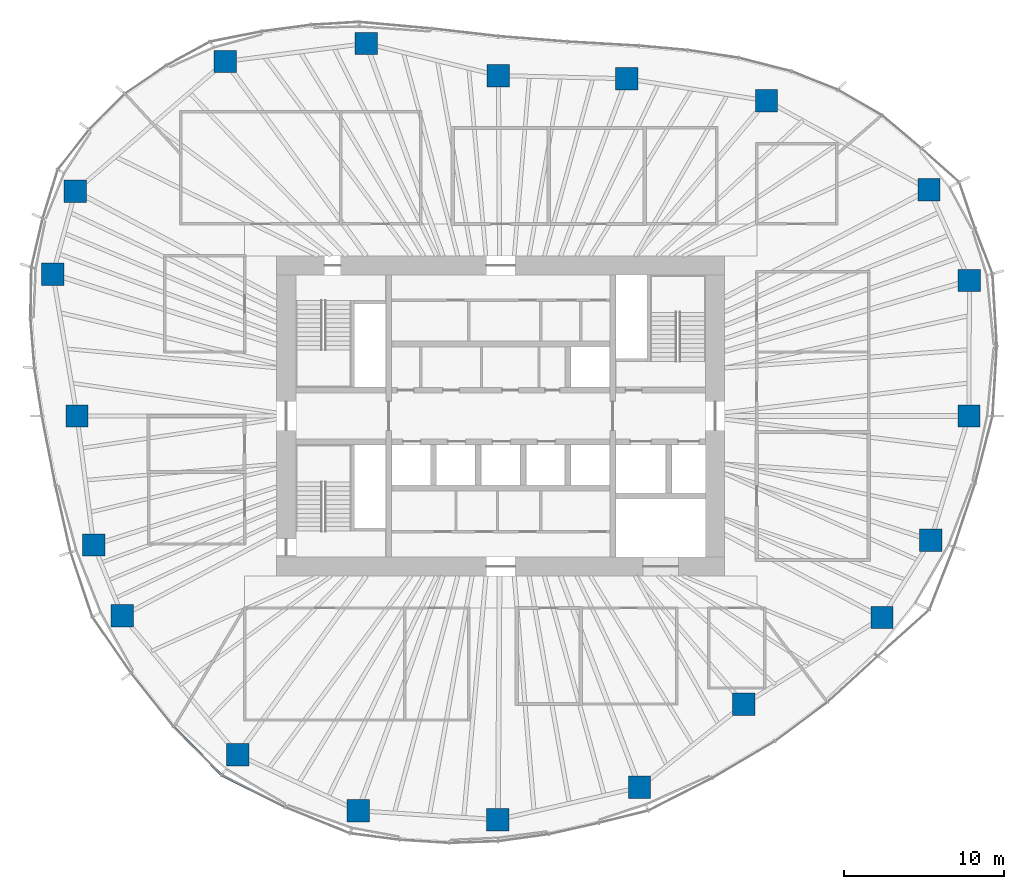
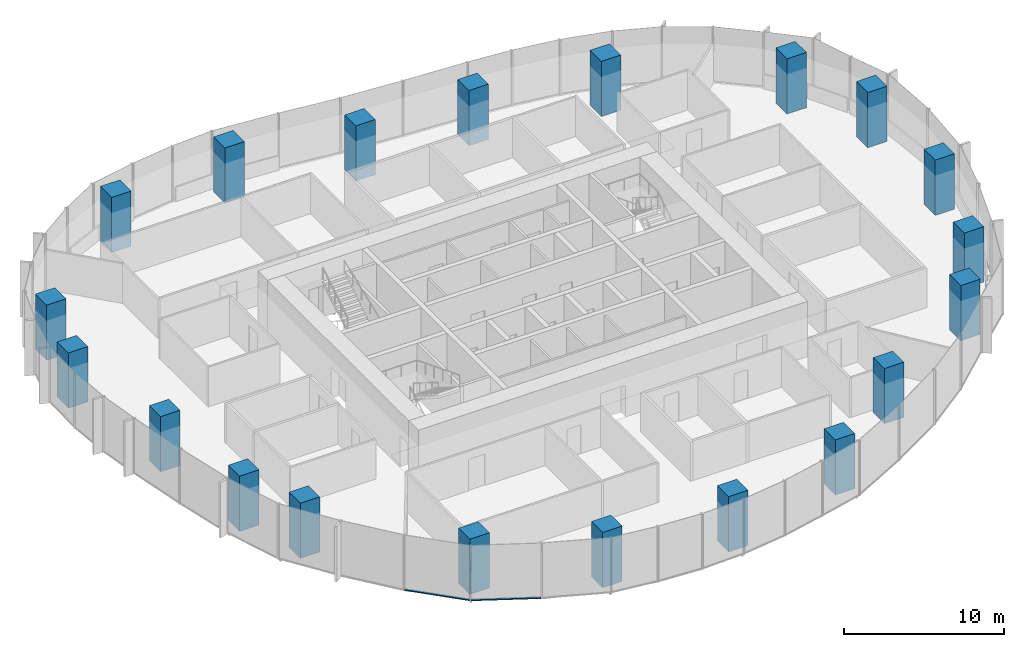
# One storey, part 1 of 18: 20 columns, 2 members, 2 elements without a shape of their own.
"""IFC4 building model written with IfcOpenShell, lengths in metres."""

from ifc_helpers import new_model, si_unit, direction, frame, origin, origin_2d, place, context, subcontext, project, spatial, rectangle, extrude, material, material_profile, profile_set, type_object, element, aggregate, save


model = new_model("IFC4")

# Units and contexts
model_context = context("Model", 3, precision=1e-05, world=origin(), true_north=direction((0.0, 1.0)))
body_context = subcontext(model_context, "Body", "Model", "MODEL_VIEW")
ifc_project = project(units=[si_unit("LENGTHUNIT", "METRE"), si_unit("AREAUNIT", "SQUARE_METRE"), si_unit("VOLUMEUNIT", "CUBIC_METRE"), si_unit("PLANEANGLEUNIT", "RADIAN"), si_unit("MASSUNIT", "GRAM", prefix="KILO")], contexts=[model_context])

# Site, building, storey
site_placement = place(None, origin())
site = spatial("IfcSite", under=ifc_project, at=site_placement, CompositionType="ELEMENT")
building_placement = place(site_placement, origin())
building = spatial("IfcBuilding", under=site, at=building_placement, Name="Ghaith Harvest Tower", CompositionType="ELEMENT")
storey_placement = place(building_placement, frame((0.0, 0.0, 163.800048828125)))
storey = spatial("IfcBuildingStorey", under=building, at=storey_placement, Name="L35", CompositionType="ELEMENT", Elevation=163.800048828125)

# Columns
ifc_material_1 = material(Name="Concrete C60/75", Category="concrete")
ifc_material_profile_1 = material_profile(ifc_material_1, rectangle(XDim=1.39990234375, YDim=1.39990234375, at=origin_2d()), Name="RC1400X1400")
ifc_profile_set_1 = profile_set([ifc_material_profile_1], Name="Concrete C60/75")
column_type = type_object("IfcColumnType", Name="TC4 RC1400X1400", PredefinedType="COLUMN", material=ifc_profile_set_1)
for number, where, z_axis, x_axis, name in (
    (1, (29.259033203125, 0.0, 0.0), (0.0, 0.0, 1.0), (1.0, 0.0, 0.0), "Perimeter column C01"),
    (2, (29.285888671875, 8.464111328125, 0.0), (0.0, 0.0, 1.0), (1.0, 0.0, 0.0), "Perimeter column C02"),
    (3, (26.763916015625, 14.14697265625, 0.0), (0.0, 0.0, 1.0), (1.0, 0.0, 0.0), "Perimeter column C03"),
    (4, (16.60791015625, 19.695068359375, 0.0), (0.0, 0.0, 1.0), (1.0, 0.0, 0.0), "Perimeter column C04"),
    (5, (7.8779296875, 21.072021484375, 0.0), (0.0, 0.0, 1.0), (1.0, 0.0, 0.0), "Perimeter column C05"),
    (6, (-0.14599609375, 21.27099609375, 0.0), (0.0, 0.0, 1.0), (1.0, 0.0, 0.0), "Perimeter column C06"),
    (7, (-8.406982421875, 23.27587890625, 0.0), (0.0, 0.0, 1.0), (1.0, 0.0, 0.0), "Perimeter column C07"),
    (8, (-17.201904296875, 22.14990234375, 0.0), (0.0, 0.0, 1.0), (1.0, 0.0, 0.0), "Perimeter column C08"),
    (9, (-26.572998046875, 14.0458984375, 0.0), (0.0, 0.0, 1.0), (1.0, 0.0, 0.0), "Perimeter column C09"),
    (10, (-27.98291015625, 8.867919921875, 0.0), (0.0, 0.0, 1.0), (1.0, 0.0, 0.0), "Perimeter column C10"),
    (11, (-26.47509765625, 0.0, 0.0), (0.0, 0.0, 1.0), (1.0, 0.0, 0.0), "Perimeter column C11"),
    (12, (-25.43603515625, -8.06103515625, 0.0), (0.0, 0.0, 1.0), (1.0, 0.0, 0.0), "Perimeter column C12"),
    (13, (-23.635009765625, -12.492919921875, 0.0), (0.0, 0.0, 1.0), (1.0, 0.0, 0.0), "Perimeter column C13"),
    (14, (-16.43701171875, -21.1640625, 0.0), (0.0, 0.0, 1.0), (1.0, 0.0, 0.0), "Perimeter column C14"),
    (15, (-8.908935546875, -24.66796875, 0.0), (0.0, 0.0, 1.0), (1.0, 0.0, 0.0), "Perimeter column C15"),
    (16, (-0.173095703125, -25.22412109375, 0.0), (0.0, 0.0, 1.0), (1.0, 0.0, 0.0), "Perimeter column C16"),
    (17, (8.674072265625, -23.202880859375, 0.0), (0.0, 0.0, 1.0), (1.0, 0.0, 0.0), "Perimeter column C17"),
    (18, (15.197998046875, -18.02294921875, 0.0), (0.0, 0.0, 1.0), (1.0, 0.0, 0.0), "Perimeter column C18"),
    (19, (23.825927734375, -12.593994140625, 0.0), (0.0, 0.0, 1.0), (1.0, 0.0, 0.0), "Perimeter column C19"),
    (20, (26.8779296875, -7.76806640625, 0.0), (0.0, 0.0, 1.0), (1.0, 0.0, 0.0), "Perimeter column C20"),
):
    element("IfcColumn", number, at=place(storey_placement, frame(where, z_axis=z_axis, x_axis=x_axis)), inside=storey, type_object=column_type, Name=name, PredefinedType="COLUMN", context=body_context, shape_type="SweptSolid", body=[
        extrude(rectangle(XDim=1.39990234375, YDim=1.39990234375, at=origin_2d()), origin(), (0.0, 0.0, 1.0), 4.199951171875),
    ])

# Curtain wall, member
ifc_material_2 = material(Name="Black anodised aluminium and fritted glass", Category="aluminium")
curtain_wall_type = type_object("IfcCurtainWallType", Name="CW-L CURTAIN WALL", PredefinedType="NOTDEFINED", material=ifc_material_2)
curtain_wall_1_placement = place(storey_placement, origin())
curtain_wall_1 = element("IfcCurtainWall", 21, at=curtain_wall_1_placement, inside=storey, type_object=curtain_wall_type, Name="Curtain wall CW-L bay 13 L35", PredefinedType="NOTDEFINED")
ifc_material_3 = material(Name="Aluminium, black anodised", Category="aluminium")
ifc_material_profile_2 = material_profile(ifc_material_3, rectangle(XDim=0.14990234375, YDim=0.080078125, at=origin_2d()), Name="CW-L TRANSOM 150x80")
ifc_profile_set_2 = profile_set([ifc_material_profile_2], Name="Aluminium, black anodised")
member_type = type_object("IfcMemberType", Name="CW-L TRANSOM 150x80", PredefinedType="USERDEFINED", material=ifc_profile_set_2)
member_1_placement = place(storey_placement, frame((-20.4130859375, -19.425048828125, 0.0400390625), z_axis=(0.702854410476, -0.711333731574, 0.0), x_axis=(0.711333731574, 0.702854410476, 0.0)))
member_1 = element("IfcMember", 22, at=member_1_placement, type_object=member_type, Name="CW-L transom 2 bay 13 L35", ObjectType="TRANSOM", PredefinedType="USERDEFINED", context=body_context, shape_type="SweptSolid", body=[
    extrude(rectangle(XDim=0.14990234375, YDim=0.080078125, at=origin_2d()), origin(), (0.0, 0.0, 1.0), 4.20361328125),
])
aggregate(curtain_wall_1, [member_1])

curtain_wall_2_placement = place(storey_placement, origin())
curtain_wall_2 = element("IfcCurtainWall", 23, at=curtain_wall_2_placement, inside=storey, type_object=curtain_wall_type, Name="Curtain wall CW-L bay 14 L35", PredefinedType="NOTDEFINED")
member_2_placement = place(storey_placement, frame((-17.394775390625, -22.461669921875, 0.0400390625), z_axis=(0.893057524502, -0.449942505138, 0.0), x_axis=(0.449942505138, 0.893057524502, 0.0)))
member_2 = element("IfcMember", 24, at=member_2_placement, type_object=member_type, Name="CW-L transom 1 bay 14 L35", ObjectType="TRANSOM", PredefinedType="USERDEFINED", context=body_context, shape_type="SweptSolid", body=[
    extrude(rectangle(XDim=0.14990234375, YDim=0.080078125, at=origin_2d()), origin(), (0.0, 0.0, 1.0), 4.362548828125),
])
aggregate(curtain_wall_2, [member_2])

save(model, "model.ifc")
